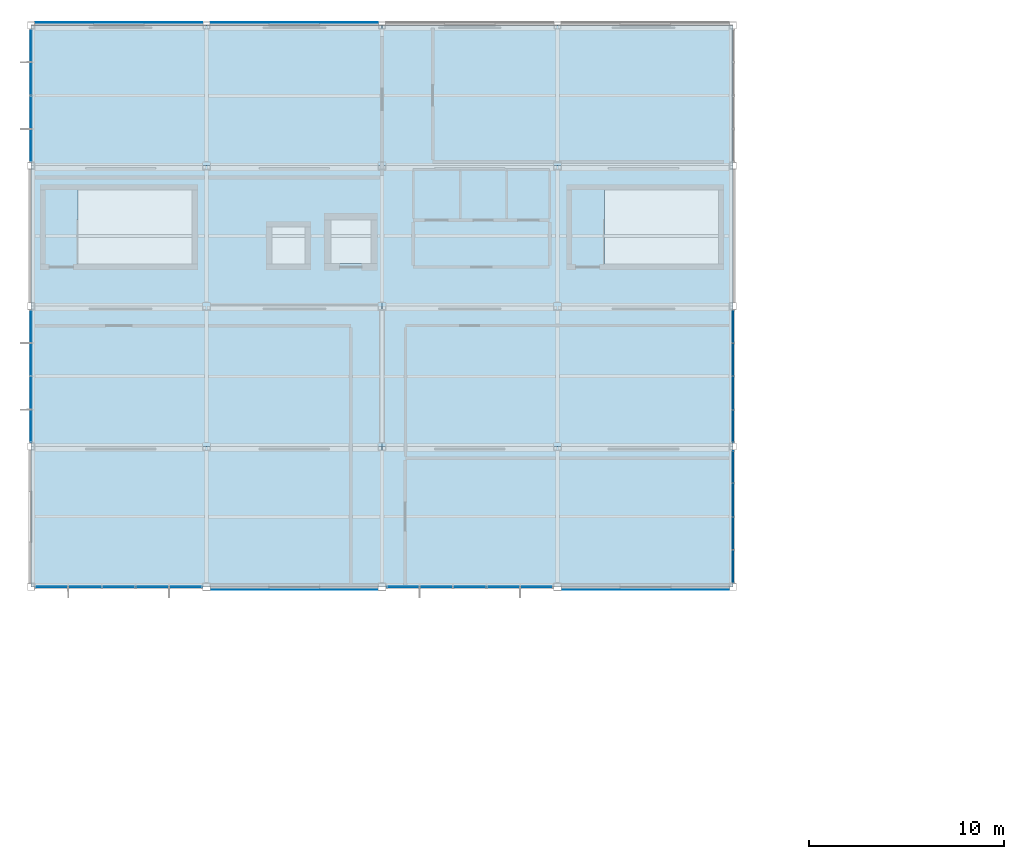
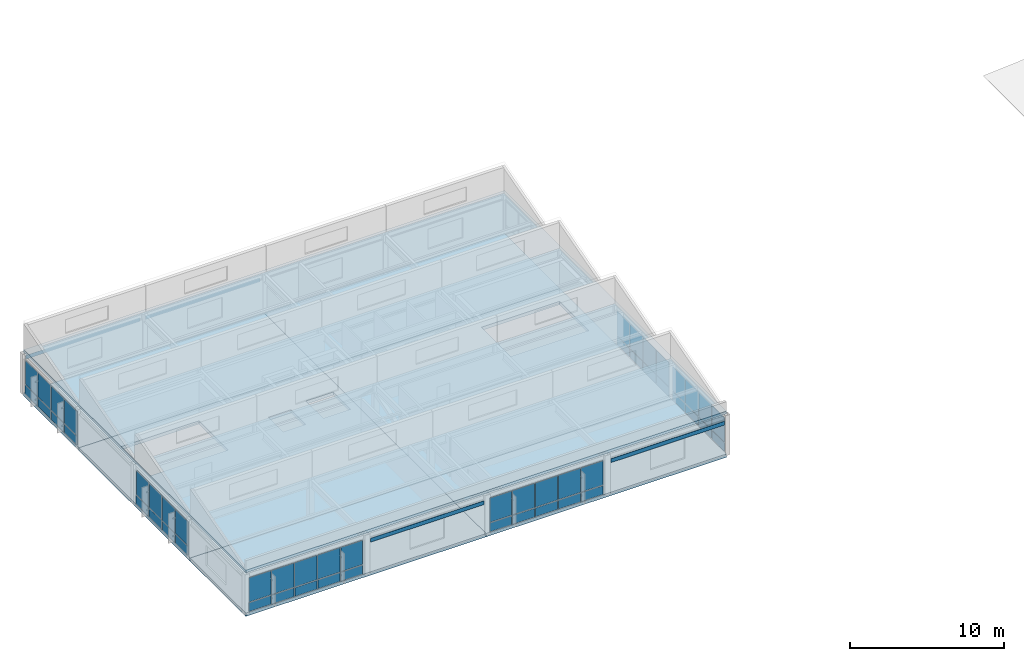
# One storey, part 32 of 43: 56 plates, 7 slabs, 6 elements without a shape of their own.
"""IFC4 building model written with IfcOpenShell, lengths in metres."""

from ifc_helpers import new_model, si_unit, direction, frame, origin, origin_2d, place, context, subcontext, project, spatial, polyline, rectangle, outline, extrude, material, layer, layer_set, type_object, element, aggregate, save


model = new_model("IFC4")

# Units and contexts
model_context = context("Model", 3, precision=1e-05, world=origin(), true_north=direction((0.0, 1.0)))
body_context = subcontext(model_context, "Body", "Model", "MODEL_VIEW")
ifc_project = project(units=[si_unit("LENGTHUNIT", "METRE"), si_unit("AREAUNIT", "SQUARE_METRE"), si_unit("VOLUMEUNIT", "CUBIC_METRE"), si_unit("PLANEANGLEUNIT", "RADIAN"), si_unit("MASSUNIT", "GRAM", prefix="KILO")], contexts=[model_context])

# Site, building, storey
site_placement = place(None, origin())
site = spatial("IfcSite", under=ifc_project, at=site_placement, CompositionType="ELEMENT")
building_placement = place(site_placement, origin())
building = spatial("IfcBuilding", under=site, at=building_placement, Name="Kazanami Central Library", CompositionType="ELEMENT")
storey_placement = place(building_placement, frame((0.0, 0.0, 20.60009765625)))
storey = spatial("IfcBuildingStorey", under=building, at=storey_placement, Name="L06", CompositionType="ELEMENT", Elevation=20.60009765625)

# Curtain wall, plates
ifc_material_1 = material(Name="Acid-Etched Low-E Laminated Glass", Category="glass")
curtain_wall_type_1 = type_object("IfcCurtainWallType", Name="CW-8625x2780-M180", PredefinedType="USERDEFINED", material=ifc_material_1)
curtain_wall_1_placement = place(storey_placement, origin())
curtain_wall_1 = element("IfcCurtainWall", 1, at=curtain_wall_1_placement, inside=storey, type_object=curtain_wall_type_1, Name="Unitised Curtain Wall CW-56 L06 S-K-00", ObjectType="UNITISED CURTAIN WALL", PredefinedType="USERDEFINED")
ifc_layer_1 = layer(ifc_material_1, 0.035888671875, Name="Acid-Etched Low-E Laminated Glass")
ifc_layer_set_1 = layer_set([ifc_layer_1], Name="Acid-Etched Low-E Laminated Glass")
plate_type_1 = type_object("IfcPlateType", Name="PLT-CW-P1", PredefinedType="CURTAIN_PANEL", material=ifc_layer_set_1)
plate_1_placement = place(storey_placement, frame((1.052490234375, 64.800048828125, 0.81005859375), z_axis=(0.0, 0.0, 1.0), x_axis=(1.0, 0.0, 0.0)))
plate_1 = element("IfcPlate", 2, at=plate_1_placement, type_object=plate_type_1, Name="CW-56 panel 1.2", PredefinedType="CURTAIN_PANEL", context=body_context, shape_type="SweptSolid", body=[
    extrude(rectangle(XDim=1.635009765625, YDim=0.035888671875, at=origin_2d()), origin(), (0.0, 0.0, 1.0), 1.909912109375),
])
plate_2_placement = place(storey_placement, frame((2.762451171875, 64.800048828125, 0.81005859375), z_axis=(0.0, 0.0, 1.0), x_axis=(1.0, 0.0, 0.0)))
plate_2 = element("IfcPlate", 3, at=plate_2_placement, type_object=plate_type_1, Name="CW-56 panel 2.2", PredefinedType="CURTAIN_PANEL", context=body_context, shape_type="SweptSolid", body=[
    extrude(rectangle(XDim=1.6650390625, YDim=0.035888671875, at=origin_2d()), origin(), (0.0, 0.0, 1.0), 1.909912109375),
])
plate_3_placement = place(storey_placement, frame((4.487548828125, 64.800048828125, 0.81005859375), z_axis=(0.0, 0.0, 1.0), x_axis=(1.0, 0.0, 0.0)))
plate_3 = element("IfcPlate", 4, at=plate_3_placement, type_object=plate_type_1, Name="CW-56 panel 3.2", PredefinedType="CURTAIN_PANEL", context=body_context, shape_type="SweptSolid", body=[
    extrude(rectangle(XDim=1.6650390625, YDim=0.035888671875, at=origin_2d()), origin(), (0.0, 0.0, 1.0), 1.909912109375),
])
plate_4_placement = place(storey_placement, frame((6.21240234375, 64.800048828125, 0.81005859375), z_axis=(0.0, 0.0, 1.0), x_axis=(1.0, 0.0, 0.0)))
plate_4 = element("IfcPlate", 5, at=plate_4_placement, type_object=plate_type_1, Name="CW-56 panel 4.2", PredefinedType="CURTAIN_PANEL", context=body_context, shape_type="SweptSolid", body=[
    extrude(rectangle(XDim=1.6650390625, YDim=0.035888671875, at=origin_2d()), origin(), (0.0, 0.0, 1.0), 1.909912109375),
])
plate_5_placement = place(storey_placement, frame((7.922607421875, 64.800048828125, 0.81005859375), z_axis=(0.0, 0.0, 1.0), x_axis=(1.0, 0.0, 0.0)))
plate_5 = element("IfcPlate", 6, at=plate_5_placement, type_object=plate_type_1, Name="CW-56 panel 5.2", PredefinedType="CURTAIN_PANEL", context=body_context, shape_type="SweptSolid", body=[
    extrude(rectangle(XDim=1.635009765625, YDim=0.035888671875, at=origin_2d()), origin(), (0.0, 0.0, 1.0), 1.909912109375),
])

curtain_wall_type_2 = type_object("IfcCurtainWallType", Name="CW-8600x2780-M180", PredefinedType="USERDEFINED", material=ifc_material_1)
curtain_wall_2_placement = place(storey_placement, origin())
curtain_wall_2 = element("IfcCurtainWall", 7, at=curtain_wall_2_placement, inside=storey, type_object=curtain_wall_type_2, Name="Unitised Curtain Wall CW-57 L06 S-K-02", ObjectType="UNITISED CURTAIN WALL", PredefinedType="USERDEFINED")
plate_6_placement = place(storey_placement, frame((19.074951171875, 64.800048828125, 0.81005859375), z_axis=(0.0, 0.0, 1.0), x_axis=(1.0, 0.0, 0.0)))
plate_6 = element("IfcPlate", 8, at=plate_6_placement, type_object=plate_type_1, Name="CW-57 panel 1.2", PredefinedType="CURTAIN_PANEL", context=body_context, shape_type="SweptSolid", body=[
    extrude(rectangle(XDim=1.6298828125, YDim=0.035888671875, at=origin_2d()), origin(), (0.0, 0.0, 1.0), 1.909912109375),
])
plate_7_placement = place(storey_placement, frame((20.780029296875, 64.800048828125, 0.81005859375), z_axis=(0.0, 0.0, 1.0), x_axis=(1.0, 0.0, 0.0)))
plate_7 = element("IfcPlate", 9, at=plate_7_placement, type_object=plate_type_1, Name="CW-57 panel 2.2", PredefinedType="CURTAIN_PANEL", context=body_context, shape_type="SweptSolid", body=[
    extrude(rectangle(XDim=1.659912109375, YDim=0.035888671875, at=origin_2d()), origin(), (0.0, 0.0, 1.0), 1.909912109375),
])
plate_8_placement = place(storey_placement, frame((22.5, 64.800048828125, 0.81005859375), z_axis=(0.0, 0.0, 1.0), x_axis=(1.0, 0.0, 0.0)))
plate_8 = element("IfcPlate", 10, at=plate_8_placement, type_object=plate_type_1, Name="CW-57 panel 3.2", PredefinedType="CURTAIN_PANEL", context=body_context, shape_type="SweptSolid", body=[
    extrude(rectangle(XDim=1.659912109375, YDim=0.035888671875, at=origin_2d()), origin(), (0.0, 0.0, 1.0), 1.909912109375),
])
plate_9_placement = place(storey_placement, frame((24.219970703125, 64.800048828125, 0.81005859375), z_axis=(0.0, 0.0, 1.0), x_axis=(1.0, 0.0, 0.0)))
plate_9 = element("IfcPlate", 11, at=plate_9_placement, type_object=plate_type_1, Name="CW-57 panel 4.2", PredefinedType="CURTAIN_PANEL", context=body_context, shape_type="SweptSolid", body=[
    extrude(rectangle(XDim=1.659912109375, YDim=0.035888671875, at=origin_2d()), origin(), (0.0, 0.0, 1.0), 1.909912109375),
])
plate_10_placement = place(storey_placement, frame((25.925048828125, 64.800048828125, 0.81005859375), z_axis=(0.0, 0.0, 1.0), x_axis=(1.0, 0.0, 0.0)))
plate_10 = element("IfcPlate", 12, at=plate_10_placement, type_object=plate_type_1, Name="CW-57 panel 5.2", PredefinedType="CURTAIN_PANEL", context=body_context, shape_type="SweptSolid", body=[
    extrude(rectangle(XDim=1.6298828125, YDim=0.035888671875, at=origin_2d()), origin(), (0.0, 0.0, 1.0), 1.909912109375),
])

curtain_wall_type_3 = type_object("IfcCurtainWallType", Name="CW-6850x2780-M180", PredefinedType="USERDEFINED", material=ifc_material_1)
curtain_wall_3_placement = place(storey_placement, origin())
curtain_wall_3 = element("IfcCurtainWall", 13, at=curtain_wall_3_placement, inside=storey, type_object=curtain_wall_type_3, Name="Unitised Curtain Wall CW-58 L06 W-1-10", ObjectType="UNITISED CURTAIN WALL", PredefinedType="USERDEFINED")
plate_11_placement = place(storey_placement, frame((0.0, 73.046142578125, 0.81005859375), z_axis=(0.0, 0.0, 1.0), x_axis=(0.0, 1.0, 0.0)))
plate_11 = element("IfcPlate", 14, at=plate_11_placement, type_object=plate_type_1, Name="CW-58 panel 1.2", PredefinedType="CURTAIN_PANEL", context=body_context, shape_type="SweptSolid", body=[
    extrude(rectangle(XDim=1.62255859375, YDim=0.035888671875, at=origin_2d()), origin(), (0.0, 0.0, 1.0), 1.909912109375),
])
plate_12_placement = place(storey_placement, frame((0.0, 74.74365234375, 0.81005859375), z_axis=(0.0, 0.0, 1.0), x_axis=(0.0, 1.0, 0.0)))
plate_12 = element("IfcPlate", 15, at=plate_12_placement, type_object=plate_type_1, Name="CW-58 panel 2.2", PredefinedType="CURTAIN_PANEL", context=body_context, shape_type="SweptSolid", body=[
    extrude(rectangle(XDim=1.652587890625, YDim=0.035888671875, at=origin_2d()), origin(), (0.0, 0.0, 1.0), 1.909912109375),
])
plate_13_placement = place(storey_placement, frame((0.0, 76.456298828125, 0.81005859375), z_axis=(0.0, 0.0, 1.0), x_axis=(0.0, 1.0, 0.0)))
plate_13 = element("IfcPlate", 16, at=plate_13_placement, type_object=plate_type_1, Name="CW-58 panel 3.2", PredefinedType="CURTAIN_PANEL", context=body_context, shape_type="SweptSolid", body=[
    extrude(rectangle(XDim=1.652587890625, YDim=0.035888671875, at=origin_2d()), origin(), (0.0, 0.0, 1.0), 1.909912109375),
])
plate_14_placement = place(storey_placement, frame((0.0, 78.15380859375, 0.81005859375), z_axis=(0.0, 0.0, 1.0), x_axis=(0.0, 1.0, 0.0)))
plate_14 = element("IfcPlate", 17, at=plate_14_placement, type_object=plate_type_1, Name="CW-58 panel 4.2", PredefinedType="CURTAIN_PANEL", context=body_context, shape_type="SweptSolid", body=[
    extrude(rectangle(XDim=1.62255859375, YDim=0.035888671875, at=origin_2d()), origin(), (0.0, 0.0, 1.0), 1.909912109375),
])

curtain_wall_4_placement = place(storey_placement, origin())
curtain_wall_4 = element("IfcCurtainWall", 18, at=curtain_wall_4_placement, inside=storey, type_object=curtain_wall_type_3, Name="Unitised Curtain Wall CW-58 L06 W-1-12", ObjectType="UNITISED CURTAIN WALL", PredefinedType="USERDEFINED")
plate_15_placement = place(storey_placement, frame((0.0, 87.4462890625, 0.81005859375), z_axis=(0.0, 0.0, 1.0), x_axis=(0.0, 1.0, 0.0)))
plate_15 = element("IfcPlate", 19, at=plate_15_placement, type_object=plate_type_1, Name="CW-58 panel 1.2", PredefinedType="CURTAIN_PANEL", context=body_context, shape_type="SweptSolid", body=[
    extrude(rectangle(XDim=1.62255859375, YDim=0.035888671875, at=origin_2d()), origin(), (0.0, 0.0, 1.0), 1.909912109375),
])
plate_16_placement = place(storey_placement, frame((0.0, 89.143798828125, 0.81005859375), z_axis=(0.0, 0.0, 1.0), x_axis=(0.0, 1.0, 0.0)))
plate_16 = element("IfcPlate", 20, at=plate_16_placement, type_object=plate_type_1, Name="CW-58 panel 2.2", PredefinedType="CURTAIN_PANEL", context=body_context, shape_type="SweptSolid", body=[
    extrude(rectangle(XDim=1.652587890625, YDim=0.035888671875, at=origin_2d()), origin(), (0.0, 0.0, 1.0), 1.909912109375),
])
plate_17_placement = place(storey_placement, frame((0.0, 90.856201171875, 0.81005859375), z_axis=(0.0, 0.0, 1.0), x_axis=(0.0, 1.0, 0.0)))
plate_17 = element("IfcPlate", 21, at=plate_17_placement, type_object=plate_type_1, Name="CW-58 panel 3.2", PredefinedType="CURTAIN_PANEL", context=body_context, shape_type="SweptSolid", body=[
    extrude(rectangle(XDim=1.652587890625, YDim=0.035888671875, at=origin_2d()), origin(), (0.0, 0.0, 1.0), 1.909912109375),
])
plate_18_placement = place(storey_placement, frame((0.0, 92.5537109375, 0.81005859375), z_axis=(0.0, 0.0, 1.0), x_axis=(0.0, 1.0, 0.0)))
plate_18 = element("IfcPlate", 22, at=plate_18_placement, type_object=plate_type_1, Name="CW-58 panel 4.2", PredefinedType="CURTAIN_PANEL", context=body_context, shape_type="SweptSolid", body=[
    extrude(rectangle(XDim=1.62255859375, YDim=0.035888671875, at=origin_2d()), origin(), (0.0, 0.0, 1.0), 1.909912109375),
])

curtain_wall_5_placement = place(storey_placement, origin())
curtain_wall_5 = element("IfcCurtainWall", 23, at=curtain_wall_5_placement, inside=storey, type_object=curtain_wall_type_3, Name="Covered Link Bridge Curtain Wall CW-58 L06 E-5-09", ObjectType="UNITISED CURTAIN WALL", PredefinedType="USERDEFINED")
ifc_material_2 = material(Name="Low-E Insulated Triple Glass", Category="glass")
ifc_layer_2 = layer(ifc_material_2, 0.0400390625, Name="Low-E Insulated Triple Glass")
ifc_layer_set_2 = layer_set([ifc_layer_2], Name="Low-E Insulated Triple Glass")
plate_type_2 = type_object("IfcPlateType", Name="PLT-CW-P3", PredefinedType="CURTAIN_PANEL", material=ifc_layer_set_2)
plate_19_placement = place(storey_placement, frame((36.0, 70.953857421875, 0.81005859375), z_axis=(0.0, 0.0, 1.0), x_axis=(0.0, -1.0, 0.0)))
plate_19 = element("IfcPlate", 24, at=plate_19_placement, type_object=plate_type_2, Name="CW-58 panel 1.2", PredefinedType="CURTAIN_PANEL", context=body_context, shape_type="SweptSolid", body=[
    extrude(rectangle(XDim=1.62255859375, YDim=0.0400390625, at=origin_2d()), origin(), (0.0, 0.0, 1.0), 1.909912109375),
])
plate_20_placement = place(storey_placement, frame((36.0, 69.25634765625, 0.81005859375), z_axis=(0.0, 0.0, 1.0), x_axis=(0.0, -1.0, 0.0)))
plate_20 = element("IfcPlate", 25, at=plate_20_placement, type_object=plate_type_2, Name="CW-58 panel 2.2", PredefinedType="CURTAIN_PANEL", context=body_context, shape_type="SweptSolid", body=[
    extrude(rectangle(XDim=1.652587890625, YDim=0.0400390625, at=origin_2d()), origin(), (0.0, 0.0, 1.0), 1.909912109375),
])
plate_21_placement = place(storey_placement, frame((36.0, 67.543701171875, 0.81005859375), z_axis=(0.0, 0.0, 1.0), x_axis=(0.0, -1.0, 0.0)))
plate_21 = element("IfcPlate", 26, at=plate_21_placement, type_object=plate_type_2, Name="CW-58 panel 3.2", PredefinedType="CURTAIN_PANEL", context=body_context, shape_type="SweptSolid", body=[
    extrude(rectangle(XDim=1.652587890625, YDim=0.0400390625, at=origin_2d()), origin(), (0.0, 0.0, 1.0), 1.909912109375),
])
plate_22_placement = place(storey_placement, frame((36.0, 65.84619140625, 0.81005859375), z_axis=(0.0, 0.0, 1.0), x_axis=(0.0, -1.0, 0.0)))
plate_22 = element("IfcPlate", 27, at=plate_22_placement, type_object=plate_type_2, Name="CW-58 panel 4.2", PredefinedType="CURTAIN_PANEL", context=body_context, shape_type="SweptSolid", body=[
    extrude(rectangle(XDim=1.62255859375, YDim=0.0400390625, at=origin_2d()), origin(), (0.0, 0.0, 1.0), 1.909912109375),
])

curtain_wall_6_placement = place(storey_placement, origin())
curtain_wall_6 = element("IfcCurtainWall", 28, at=curtain_wall_6_placement, inside=storey, type_object=curtain_wall_type_3, Name="Covered Link Bridge Curtain Wall CW-58 L06 E-5-10", ObjectType="UNITISED CURTAIN WALL", PredefinedType="USERDEFINED")
plate_23_placement = place(storey_placement, frame((36.0, 78.15380859375, 0.81005859375), z_axis=(0.0, 0.0, 1.0), x_axis=(0.0, -1.0, 0.0)))
plate_23 = element("IfcPlate", 29, at=plate_23_placement, type_object=plate_type_2, Name="CW-58 panel 1.2", PredefinedType="CURTAIN_PANEL", context=body_context, shape_type="SweptSolid", body=[
    extrude(rectangle(XDim=1.62255859375, YDim=0.0400390625, at=origin_2d()), origin(), (0.0, 0.0, 1.0), 1.909912109375),
])
plate_24_placement = place(storey_placement, frame((36.0, 76.456298828125, 0.81005859375), z_axis=(0.0, 0.0, 1.0), x_axis=(0.0, -1.0, 0.0)))
plate_24 = element("IfcPlate", 30, at=plate_24_placement, type_object=plate_type_2, Name="CW-58 panel 2.2", PredefinedType="CURTAIN_PANEL", context=body_context, shape_type="SweptSolid", body=[
    extrude(rectangle(XDim=1.652587890625, YDim=0.0400390625, at=origin_2d()), origin(), (0.0, 0.0, 1.0), 1.909912109375),
])
plate_25_placement = place(storey_placement, frame((36.0, 74.74365234375, 0.81005859375), z_axis=(0.0, 0.0, 1.0), x_axis=(0.0, -1.0, 0.0)))
plate_25 = element("IfcPlate", 31, at=plate_25_placement, type_object=plate_type_2, Name="CW-58 panel 3.2", PredefinedType="CURTAIN_PANEL", context=body_context, shape_type="SweptSolid", body=[
    extrude(rectangle(XDim=1.652587890625, YDim=0.0400390625, at=origin_2d()), origin(), (0.0, 0.0, 1.0), 1.909912109375),
])
plate_26_placement = place(storey_placement, frame((36.0, 73.046142578125, 0.81005859375), z_axis=(0.0, 0.0, 1.0), x_axis=(0.0, -1.0, 0.0)))
plate_26 = element("IfcPlate", 32, at=plate_26_placement, type_object=plate_type_2, Name="CW-58 panel 4.2", PredefinedType="CURTAIN_PANEL", context=body_context, shape_type="SweptSolid", body=[
    extrude(rectangle(XDim=1.62255859375, YDim=0.0400390625, at=origin_2d()), origin(), (0.0, 0.0, 1.0), 1.909912109375),
])

# Plate
ifc_material_3 = material(Name="Anodised Aluminium A5052-H32", Category="aluminium")
ifc_layer_3 = layer(ifc_material_3, 0.052001953125, Name="Anodised Aluminium A5052-H32")
ifc_layer_set_3 = layer_set([ifc_layer_3], Name="Anodised Aluminium A5052-H32")
plate_type_3 = type_object("IfcPlateType", Name="PLT-CW-SP2", PredefinedType="CURTAIN_PANEL", material=ifc_layer_set_3)
plate_27_placement = place(storey_placement, frame((36.0, 70.953857421875, 0.059814453125), z_axis=(0.0, 0.0, 1.0), x_axis=(0.0, -1.0, 0.0)))
plate_27 = element("IfcPlate", 33, at=plate_27_placement, type_object=plate_type_3, Name="CW-58 panel 1.1", PredefinedType="CURTAIN_PANEL", context=body_context, shape_type="SweptSolid", body=[
    extrude(rectangle(XDim=1.62255859375, YDim=0.052001953125, at=origin_2d()), origin(), (0.0, 0.0, 1.0), 0.68994140625),
])

plate_28_placement = place(storey_placement, frame((36.0, 69.25634765625, 0.059814453125), z_axis=(0.0, 0.0, 1.0), x_axis=(0.0, -1.0, 0.0)))
plate_28 = element("IfcPlate", 34, at=plate_28_placement, type_object=plate_type_3, Name="CW-58 panel 2.1", PredefinedType="CURTAIN_PANEL", context=body_context, shape_type="SweptSolid", body=[
    extrude(rectangle(XDim=1.652587890625, YDim=0.052001953125, at=origin_2d()), origin(), (0.0, 0.0, 1.0), 0.68994140625),
])

plate_29_placement = place(storey_placement, frame((36.0, 67.543701171875, 0.059814453125), z_axis=(0.0, 0.0, 1.0), x_axis=(0.0, -1.0, 0.0)))
plate_29 = element("IfcPlate", 35, at=plate_29_placement, type_object=plate_type_3, Name="CW-58 panel 3.1", PredefinedType="CURTAIN_PANEL", context=body_context, shape_type="SweptSolid", body=[
    extrude(rectangle(XDim=1.652587890625, YDim=0.052001953125, at=origin_2d()), origin(), (0.0, 0.0, 1.0), 0.68994140625),
])

plate_30_placement = place(storey_placement, frame((36.0, 65.84619140625, 0.059814453125), z_axis=(0.0, 0.0, 1.0), x_axis=(0.0, -1.0, 0.0)))
plate_30 = element("IfcPlate", 36, at=plate_30_placement, type_object=plate_type_3, Name="CW-58 panel 4.1", PredefinedType="CURTAIN_PANEL", context=body_context, shape_type="SweptSolid", body=[
    extrude(rectangle(XDim=1.62255859375, YDim=0.052001953125, at=origin_2d()), origin(), (0.0, 0.0, 1.0), 0.68994140625),
])

aggregate(curtain_wall_5, [plate_27, plate_19, plate_28, plate_20, plate_29, plate_21, plate_30, plate_22])

plate_31_placement = place(storey_placement, frame((36.0, 78.15380859375, 0.059814453125), z_axis=(0.0, 0.0, 1.0), x_axis=(0.0, -1.0, 0.0)))
plate_31 = element("IfcPlate", 37, at=plate_31_placement, type_object=plate_type_3, Name="CW-58 panel 1.1", PredefinedType="CURTAIN_PANEL", context=body_context, shape_type="SweptSolid", body=[
    extrude(rectangle(XDim=1.62255859375, YDim=0.052001953125, at=origin_2d()), origin(), (0.0, 0.0, 1.0), 0.68994140625),
])

plate_32_placement = place(storey_placement, frame((36.0, 76.456298828125, 0.059814453125), z_axis=(0.0, 0.0, 1.0), x_axis=(0.0, -1.0, 0.0)))
plate_32 = element("IfcPlate", 38, at=plate_32_placement, type_object=plate_type_3, Name="CW-58 panel 2.1", PredefinedType="CURTAIN_PANEL", context=body_context, shape_type="SweptSolid", body=[
    extrude(rectangle(XDim=1.652587890625, YDim=0.052001953125, at=origin_2d()), origin(), (0.0, 0.0, 1.0), 0.68994140625),
])

plate_33_placement = place(storey_placement, frame((36.0, 74.74365234375, 0.059814453125), z_axis=(0.0, 0.0, 1.0), x_axis=(0.0, -1.0, 0.0)))
plate_33 = element("IfcPlate", 39, at=plate_33_placement, type_object=plate_type_3, Name="CW-58 panel 3.1", PredefinedType="CURTAIN_PANEL", context=body_context, shape_type="SweptSolid", body=[
    extrude(rectangle(XDim=1.652587890625, YDim=0.052001953125, at=origin_2d()), origin(), (0.0, 0.0, 1.0), 0.68994140625),
])

plate_34_placement = place(storey_placement, frame((36.0, 73.046142578125, 0.059814453125), z_axis=(0.0, 0.0, 1.0), x_axis=(0.0, -1.0, 0.0)))
plate_34 = element("IfcPlate", 40, at=plate_34_placement, type_object=plate_type_3, Name="CW-58 panel 4.1", PredefinedType="CURTAIN_PANEL", context=body_context, shape_type="SweptSolid", body=[
    extrude(rectangle(XDim=1.62255859375, YDim=0.052001953125, at=origin_2d()), origin(), (0.0, 0.0, 1.0), 0.68994140625),
])

aggregate(curtain_wall_6, [plate_31, plate_23, plate_32, plate_24, plate_33, plate_25, plate_34, plate_26])

ifc_layer_4 = layer(ifc_material_3, 0.048095703125, Name="Anodised Aluminium A5052-H32")
ifc_layer_set_4 = layer_set([ifc_layer_4], Name="Anodised Aluminium A5052-H32")
plate_type_4 = type_object("IfcPlateType", Name="PLT-CW-SP3", PredefinedType="CURTAIN_PANEL", material=ifc_layer_set_4)
plate_35_placement = place(storey_placement, frame((1.052490234375, 64.800048828125, 0.059814453125), z_axis=(0.0, 0.0, 1.0), x_axis=(1.0, 0.0, 0.0)))
plate_35 = element("IfcPlate", 41, at=plate_35_placement, type_object=plate_type_4, Name="CW-56 panel 1.1", PredefinedType="CURTAIN_PANEL", context=body_context, shape_type="SweptSolid", body=[
    extrude(rectangle(XDim=1.635009765625, YDim=0.048095703125, at=origin_2d()), origin(), (0.0, 0.0, 1.0), 0.68994140625),
])

plate_36_placement = place(storey_placement, frame((2.762451171875, 64.800048828125, 0.059814453125), z_axis=(0.0, 0.0, 1.0), x_axis=(1.0, 0.0, 0.0)))
plate_36 = element("IfcPlate", 42, at=plate_36_placement, type_object=plate_type_4, Name="CW-56 panel 2.1", PredefinedType="CURTAIN_PANEL", context=body_context, shape_type="SweptSolid", body=[
    extrude(rectangle(XDim=1.6650390625, YDim=0.048095703125, at=origin_2d()), origin(), (0.0, 0.0, 1.0), 0.68994140625),
])

plate_37_placement = place(storey_placement, frame((4.487548828125, 64.800048828125, 0.059814453125), z_axis=(0.0, 0.0, 1.0), x_axis=(1.0, 0.0, 0.0)))
plate_37 = element("IfcPlate", 43, at=plate_37_placement, type_object=plate_type_4, Name="CW-56 panel 3.1", PredefinedType="CURTAIN_PANEL", context=body_context, shape_type="SweptSolid", body=[
    extrude(rectangle(XDim=1.6650390625, YDim=0.048095703125, at=origin_2d()), origin(), (0.0, 0.0, 1.0), 0.68994140625),
])

plate_38_placement = place(storey_placement, frame((6.21240234375, 64.800048828125, 0.059814453125), z_axis=(0.0, 0.0, 1.0), x_axis=(1.0, 0.0, 0.0)))
plate_38 = element("IfcPlate", 44, at=plate_38_placement, type_object=plate_type_4, Name="CW-56 panel 4.1", PredefinedType="CURTAIN_PANEL", context=body_context, shape_type="SweptSolid", body=[
    extrude(rectangle(XDim=1.6650390625, YDim=0.048095703125, at=origin_2d()), origin(), (0.0, 0.0, 1.0), 0.68994140625),
])

plate_39_placement = place(storey_placement, frame((7.922607421875, 64.800048828125, 0.059814453125), z_axis=(0.0, 0.0, 1.0), x_axis=(1.0, 0.0, 0.0)))
plate_39 = element("IfcPlate", 45, at=plate_39_placement, type_object=plate_type_4, Name="CW-56 panel 5.1", PredefinedType="CURTAIN_PANEL", context=body_context, shape_type="SweptSolid", body=[
    extrude(rectangle(XDim=1.635009765625, YDim=0.048095703125, at=origin_2d()), origin(), (0.0, 0.0, 1.0), 0.68994140625),
])

aggregate(curtain_wall_1, [plate_35, plate_1, plate_36, plate_2, plate_37, plate_3, plate_38, plate_4, plate_39, plate_5])

plate_40_placement = place(storey_placement, frame((19.074951171875, 64.800048828125, 0.059814453125), z_axis=(0.0, 0.0, 1.0), x_axis=(1.0, 0.0, 0.0)))
plate_40 = element("IfcPlate", 46, at=plate_40_placement, type_object=plate_type_4, Name="CW-57 panel 1.1", PredefinedType="CURTAIN_PANEL", context=body_context, shape_type="SweptSolid", body=[
    extrude(rectangle(XDim=1.6298828125, YDim=0.048095703125, at=origin_2d()), origin(), (0.0, 0.0, 1.0), 0.68994140625),
])

plate_41_placement = place(storey_placement, frame((20.780029296875, 64.800048828125, 0.059814453125), z_axis=(0.0, 0.0, 1.0), x_axis=(1.0, 0.0, 0.0)))
plate_41 = element("IfcPlate", 47, at=plate_41_placement, type_object=plate_type_4, Name="CW-57 panel 2.1", PredefinedType="CURTAIN_PANEL", context=body_context, shape_type="SweptSolid", body=[
    extrude(rectangle(XDim=1.659912109375, YDim=0.048095703125, at=origin_2d()), origin(), (0.0, 0.0, 1.0), 0.68994140625),
])

plate_42_placement = place(storey_placement, frame((22.5, 64.800048828125, 0.059814453125), z_axis=(0.0, 0.0, 1.0), x_axis=(1.0, 0.0, 0.0)))
plate_42 = element("IfcPlate", 48, at=plate_42_placement, type_object=plate_type_4, Name="CW-57 panel 3.1", PredefinedType="CURTAIN_PANEL", context=body_context, shape_type="SweptSolid", body=[
    extrude(rectangle(XDim=1.659912109375, YDim=0.048095703125, at=origin_2d()), origin(), (0.0, 0.0, 1.0), 0.68994140625),
])

plate_43_placement = place(storey_placement, frame((24.219970703125, 64.800048828125, 0.059814453125), z_axis=(0.0, 0.0, 1.0), x_axis=(1.0, 0.0, 0.0)))
plate_43 = element("IfcPlate", 49, at=plate_43_placement, type_object=plate_type_4, Name="CW-57 panel 4.1", PredefinedType="CURTAIN_PANEL", context=body_context, shape_type="SweptSolid", body=[
    extrude(rectangle(XDim=1.659912109375, YDim=0.048095703125, at=origin_2d()), origin(), (0.0, 0.0, 1.0), 0.68994140625),
])

plate_44_placement = place(storey_placement, frame((25.925048828125, 64.800048828125, 0.059814453125), z_axis=(0.0, 0.0, 1.0), x_axis=(1.0, 0.0, 0.0)))
plate_44 = element("IfcPlate", 50, at=plate_44_placement, type_object=plate_type_4, Name="CW-57 panel 5.1", PredefinedType="CURTAIN_PANEL", context=body_context, shape_type="SweptSolid", body=[
    extrude(rectangle(XDim=1.6298828125, YDim=0.048095703125, at=origin_2d()), origin(), (0.0, 0.0, 1.0), 0.68994140625),
])

aggregate(curtain_wall_2, [plate_40, plate_6, plate_41, plate_7, plate_42, plate_8, plate_43, plate_9, plate_44, plate_10])

plate_45_placement = place(storey_placement, frame((0.0, 73.046142578125, 0.059814453125), z_axis=(0.0, 0.0, 1.0), x_axis=(0.0, 1.0, 0.0)))
plate_45 = element("IfcPlate", 51, at=plate_45_placement, type_object=plate_type_4, Name="CW-58 panel 1.1", PredefinedType="CURTAIN_PANEL", context=body_context, shape_type="SweptSolid", body=[
    extrude(rectangle(XDim=1.62255859375, YDim=0.048095703125, at=origin_2d()), origin(), (0.0, 0.0, 1.0), 0.68994140625),
])

plate_46_placement = place(storey_placement, frame((0.0, 74.74365234375, 0.059814453125), z_axis=(0.0, 0.0, 1.0), x_axis=(0.0, 1.0, 0.0)))
plate_46 = element("IfcPlate", 52, at=plate_46_placement, type_object=plate_type_4, Name="CW-58 panel 2.1", PredefinedType="CURTAIN_PANEL", context=body_context, shape_type="SweptSolid", body=[
    extrude(rectangle(XDim=1.652587890625, YDim=0.048095703125, at=origin_2d()), origin(), (0.0, 0.0, 1.0), 0.68994140625),
])

plate_47_placement = place(storey_placement, frame((0.0, 76.456298828125, 0.059814453125), z_axis=(0.0, 0.0, 1.0), x_axis=(0.0, 1.0, 0.0)))
plate_47 = element("IfcPlate", 53, at=plate_47_placement, type_object=plate_type_4, Name="CW-58 panel 3.1", PredefinedType="CURTAIN_PANEL", context=body_context, shape_type="SweptSolid", body=[
    extrude(rectangle(XDim=1.652587890625, YDim=0.048095703125, at=origin_2d()), origin(), (0.0, 0.0, 1.0), 0.68994140625),
])

plate_48_placement = place(storey_placement, frame((0.0, 78.15380859375, 0.059814453125), z_axis=(0.0, 0.0, 1.0), x_axis=(0.0, 1.0, 0.0)))
plate_48 = element("IfcPlate", 54, at=plate_48_placement, type_object=plate_type_4, Name="CW-58 panel 4.1", PredefinedType="CURTAIN_PANEL", context=body_context, shape_type="SweptSolid", body=[
    extrude(rectangle(XDim=1.62255859375, YDim=0.048095703125, at=origin_2d()), origin(), (0.0, 0.0, 1.0), 0.68994140625),
])

aggregate(curtain_wall_3, [plate_45, plate_11, plate_46, plate_12, plate_47, plate_13, plate_48, plate_14])

plate_49_placement = place(storey_placement, frame((0.0, 87.4462890625, 0.059814453125), z_axis=(0.0, 0.0, 1.0), x_axis=(0.0, 1.0, 0.0)))
plate_49 = element("IfcPlate", 55, at=plate_49_placement, type_object=plate_type_4, Name="CW-58 panel 1.1", PredefinedType="CURTAIN_PANEL", context=body_context, shape_type="SweptSolid", body=[
    extrude(rectangle(XDim=1.62255859375, YDim=0.048095703125, at=origin_2d()), origin(), (0.0, 0.0, 1.0), 0.68994140625),
])

plate_50_placement = place(storey_placement, frame((0.0, 89.143798828125, 0.059814453125), z_axis=(0.0, 0.0, 1.0), x_axis=(0.0, 1.0, 0.0)))
plate_50 = element("IfcPlate", 56, at=plate_50_placement, type_object=plate_type_4, Name="CW-58 panel 2.1", PredefinedType="CURTAIN_PANEL", context=body_context, shape_type="SweptSolid", body=[
    extrude(rectangle(XDim=1.652587890625, YDim=0.048095703125, at=origin_2d()), origin(), (0.0, 0.0, 1.0), 0.68994140625),
])

plate_51_placement = place(storey_placement, frame((0.0, 90.856201171875, 0.059814453125), z_axis=(0.0, 0.0, 1.0), x_axis=(0.0, 1.0, 0.0)))
plate_51 = element("IfcPlate", 57, at=plate_51_placement, type_object=plate_type_4, Name="CW-58 panel 3.1", PredefinedType="CURTAIN_PANEL", context=body_context, shape_type="SweptSolid", body=[
    extrude(rectangle(XDim=1.652587890625, YDim=0.048095703125, at=origin_2d()), origin(), (0.0, 0.0, 1.0), 0.68994140625),
])

plate_52_placement = place(storey_placement, frame((0.0, 92.5537109375, 0.059814453125), z_axis=(0.0, 0.0, 1.0), x_axis=(0.0, 1.0, 0.0)))
plate_52 = element("IfcPlate", 58, at=plate_52_placement, type_object=plate_type_4, Name="CW-58 panel 4.1", PredefinedType="CURTAIN_PANEL", context=body_context, shape_type="SweptSolid", body=[
    extrude(rectangle(XDim=1.62255859375, YDim=0.048095703125, at=origin_2d()), origin(), (0.0, 0.0, 1.0), 0.68994140625),
])

aggregate(curtain_wall_4, [plate_49, plate_15, plate_50, plate_16, plate_51, plate_17, plate_52, plate_18])

# Plates
ifc_layer_5 = layer(ifc_material_3, 0.010009765625, Name="Anodised Aluminium A5052-H32")
ifc_layer_set_5 = layer_set([ifc_layer_5], Name="Anodised Aluminium A5052-H32")
plate_type_5 = type_object("IfcPlateType", Name="PLT-SPN-10", PredefinedType="SHEET", material=ifc_layer_set_5)
plate_53_placement = place(storey_placement, frame((4.5, 93.7451171875, 2.4697265625), z_axis=(0.0, 0.0, 1.0), x_axis=(-1.0, 0.0, 0.0)))
element("IfcPlate", 59, at=plate_53_placement, inside=storey, type_object=plate_type_5, Name="Architectural Spandrel Sheet SPN-10 L06 N-O-00", PredefinedType="SHEET", context=body_context, shape_type="SweptSolid", body=[
    extrude(rectangle(XDim=8.550048828125, YDim=0.010009765625, at=origin_2d()), origin(), (0.0, 0.0, 1.0), 0.300048828125),
])
ifc_layer_6 = layer(ifc_material_3, 0.011962890625, Name="Anodised Aluminium A5052-H32")
ifc_layer_set_6 = layer_set([ifc_layer_6], Name="Anodised Aluminium A5052-H32")
plate_type_6 = type_object("IfcPlateType", Name="PLT-SPN-12", PredefinedType="SHEET", material=ifc_layer_set_6)
plate_54_placement = place(storey_placement, frame((13.5, 64.654052734375, 2.4697265625), z_axis=(0.0, 0.0, 1.0), x_axis=(1.0, 0.0, 0.0)))
element("IfcPlate", 60, at=plate_54_placement, inside=storey, type_object=plate_type_6, Name="Architectural Spandrel Sheet SPN-12 L06 S-K-01", PredefinedType="SHEET", context=body_context, shape_type="SweptSolid", body=[
    extrude(rectangle(XDim=8.5, YDim=0.011962890625, at=origin_2d()), origin(), (0.0, 0.0, 1.0), 0.300048828125),
])
plate_55_placement = place(storey_placement, frame((13.5, 93.74609375, 2.4697265625), z_axis=(0.0, 0.0, 1.0), x_axis=(-1.0, 0.0, 0.0)))
element("IfcPlate", 61, at=plate_55_placement, inside=storey, type_object=plate_type_6, Name="Architectural Spandrel Sheet SPN-12 L06 N-O-01", PredefinedType="SHEET", context=body_context, shape_type="SweptSolid", body=[
    extrude(rectangle(XDim=8.550048828125, YDim=0.011962890625, at=origin_2d()), origin(), (0.0, 0.0, 1.0), 0.300048828125),
])
ifc_layer_7 = layer(ifc_material_3, 0.01611328125, Name="Anodised Aluminium A5052-H32")
ifc_layer_set_7 = layer_set([ifc_layer_7], Name="Anodised Aluminium A5052-H32")
plate_type_7 = type_object("IfcPlateType", Name="PLT-SPN-16", PredefinedType="SHEET", material=ifc_layer_set_7)
plate_56_placement = place(storey_placement, frame((31.512451171875, 64.652099609375, 2.4697265625), z_axis=(0.0, 0.0, 1.0), x_axis=(1.0, 0.0, 0.0)))
element("IfcPlate", 62, at=plate_56_placement, inside=storey, type_object=plate_type_7, Name="Architectural Spandrel Sheet SPN-16 L06 S-K-03", PredefinedType="SHEET", context=body_context, shape_type="SweptSolid", body=[
    extrude(rectangle(XDim=8.52490234375, YDim=0.01611328125, at=origin_2d()), origin(), (0.0, 0.0, 1.0), 0.300048828125),
])

# Slabs
ifc_material_4 = material(Name="Concrete Fc36 (36 MPa)", Category="concrete")
ifc_layer_8 = layer(ifc_material_4, 0.260009765625, Name="Concrete Fc36 (36 MPa)")
ifc_layer_set_8 = layer_set([ifc_layer_8], Name="Concrete Fc36 (36 MPa)")
slab_type_1 = type_object("IfcSlabType", Name="SLB-FLR-260", PredefinedType="FLOOR", material=ifc_layer_set_8)
slab_1_placement = place(storey_placement, frame((0.0, 0.0, -0.260009765625)))
element("IfcSlab", 63, at=slab_1_placement, inside=storey, type_object=slab_type_1, Name="Composite Floor Slab L06 V4-UPPER Zone 1", PredefinedType="FLOOR", context=body_context, shape_type="SweptSolid", body=[
    extrude(outline(polyline([(0.0, 64.800048828125), (18.0, 64.800048828125), (18.0, 72.0), (0.0, 72.0), (0.0, 64.800048828125)])), origin(), (0.0, 0.0, 1.0), 0.260009765625),
])
slab_2_placement = place(storey_placement, frame((0.0, 0.0, -0.260009765625)))
element("IfcSlab", 64, at=slab_2_placement, inside=storey, type_object=slab_type_1, Name="Composite Floor Slab L06 V4-UPPER Zone 2", PredefinedType="FLOOR", context=body_context, shape_type="SweptSolid", body=[
    extrude(outline(polyline([(0.0, 72.0), (18.0, 72.0), (18.0, 86.39990234375), (0.0, 86.39990234375), (0.0, 72.0)]), holes=[polyline([(2.39990234375, 81.35009765625), (8.25, 81.35009765625), (8.25, 85.14990234375), (2.39990234375, 85.14990234375), (2.39990234375, 81.35009765625)]), polyline([(15.375, 81.375), (17.425048828125, 81.375), (17.425048828125, 83.625), (15.375, 83.625), (15.375, 81.375)]), polyline([(12.35009765625, 81.35009765625), (14.050048828125, 81.35009765625), (14.050048828125, 83.25), (12.35009765625, 83.25), (12.35009765625, 81.35009765625)])]), origin(), (0.0, 0.0, 1.0), 0.260009765625),
])
slab_3_placement = place(storey_placement, frame((0.0, 0.0, -0.260009765625)))
element("IfcSlab", 65, at=slab_3_placement, inside=storey, type_object=slab_type_1, Name="Composite Floor Slab L06 V4-UPPER Zone 3", PredefinedType="FLOOR", context=body_context, shape_type="SweptSolid", body=[
    extrude(outline(polyline([(0.0, 86.39990234375), (18.0, 86.39990234375), (18.0, 93.60009765625), (0.0, 93.60009765625), (0.0, 86.39990234375)])), origin(), (0.0, 0.0, 1.0), 0.260009765625),
])
slab_4_placement = place(storey_placement, frame((0.0, 0.0, -0.260009765625)))
element("IfcSlab", 66, at=slab_4_placement, inside=storey, type_object=slab_type_1, Name="Composite Floor Slab L06 V4-UPPER Zone 4", PredefinedType="FLOOR", context=body_context, shape_type="SweptSolid", body=[
    extrude(outline(polyline([(18.0, 64.800048828125), (36.0, 64.800048828125), (36.0, 72.0), (18.0, 72.0), (18.0, 64.800048828125)])), origin(), (0.0, 0.0, 1.0), 0.260009765625),
])
slab_5_placement = place(storey_placement, frame((0.0, 0.0, -0.260009765625)))
element("IfcSlab", 67, at=slab_5_placement, inside=storey, type_object=slab_type_1, Name="Composite Floor Slab L06 V4-UPPER Zone 5", PredefinedType="FLOOR", context=body_context, shape_type="SweptSolid", body=[
    extrude(outline(polyline([(18.0, 72.0), (36.0, 72.0), (36.0, 86.39990234375), (18.0, 86.39990234375), (18.0, 72.0)]), holes=[polyline([(29.39990234375, 81.35009765625), (35.25, 81.35009765625), (35.25, 85.14990234375), (29.39990234375, 85.14990234375), (29.39990234375, 81.35009765625)])]), origin(), (0.0, 0.0, 1.0), 0.260009765625),
])
slab_6_placement = place(storey_placement, frame((0.0, 0.0, -0.260009765625)))
element("IfcSlab", 68, at=slab_6_placement, inside=storey, type_object=slab_type_1, Name="Composite Floor Slab L06 V4-UPPER Zone 6", PredefinedType="FLOOR", context=body_context, shape_type="SweptSolid", body=[
    extrude(outline(polyline([(18.0, 86.39990234375), (36.0, 86.39990234375), (36.0, 93.60009765625), (18.0, 93.60009765625), (18.0, 86.39990234375)])), origin(), (0.0, 0.0, 1.0), 0.260009765625),
])
ifc_layer_9 = layer(ifc_material_4, 0.219970703125, Name="Concrete Fc36 (36 MPa)")
ifc_layer_set_9 = layer_set([ifc_layer_9], Name="Concrete Fc36 (36 MPa)")
slab_type_2 = type_object("IfcSlabType", Name="SLB-ROOF-220", PredefinedType="ROOF", material=ifc_layer_set_9)
slab_7_placement = place(storey_placement, frame((0.0, 0.0, 3.179931640625)))
element("IfcSlab", 69, at=slab_7_placement, inside=storey, type_object=slab_type_2, Name="Structural Roof Slab ROOF-L06-V4", PredefinedType="ROOF", context=body_context, shape_type="SweptSolid", body=[
    extrude(outline(polyline([(0.0, 64.800048828125), (36.0, 64.800048828125), (36.0, 93.60009765625), (0.0, 93.60009765625), (0.0, 64.800048828125)])), origin(), (0.0, 0.0, 1.0), 0.219970703125),
])

save(model, "model.ifc")
